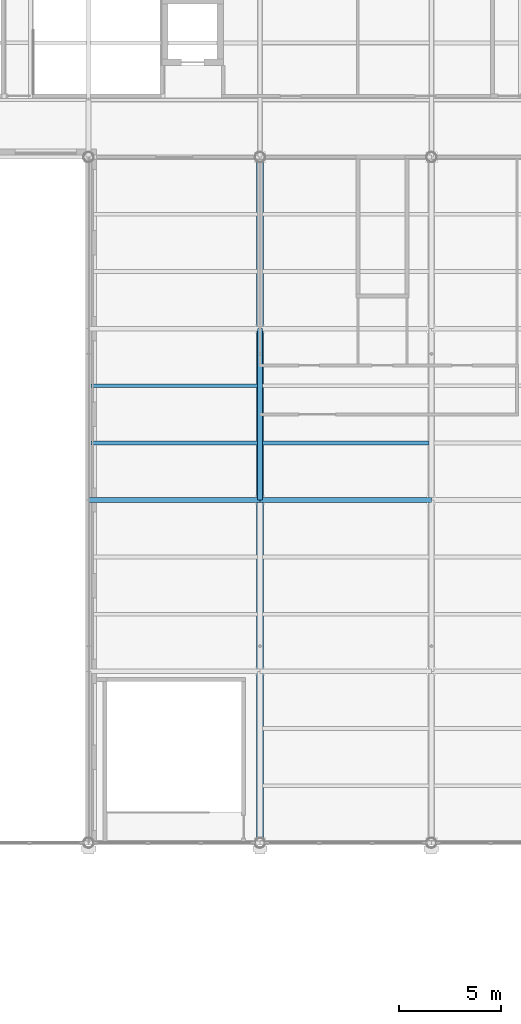
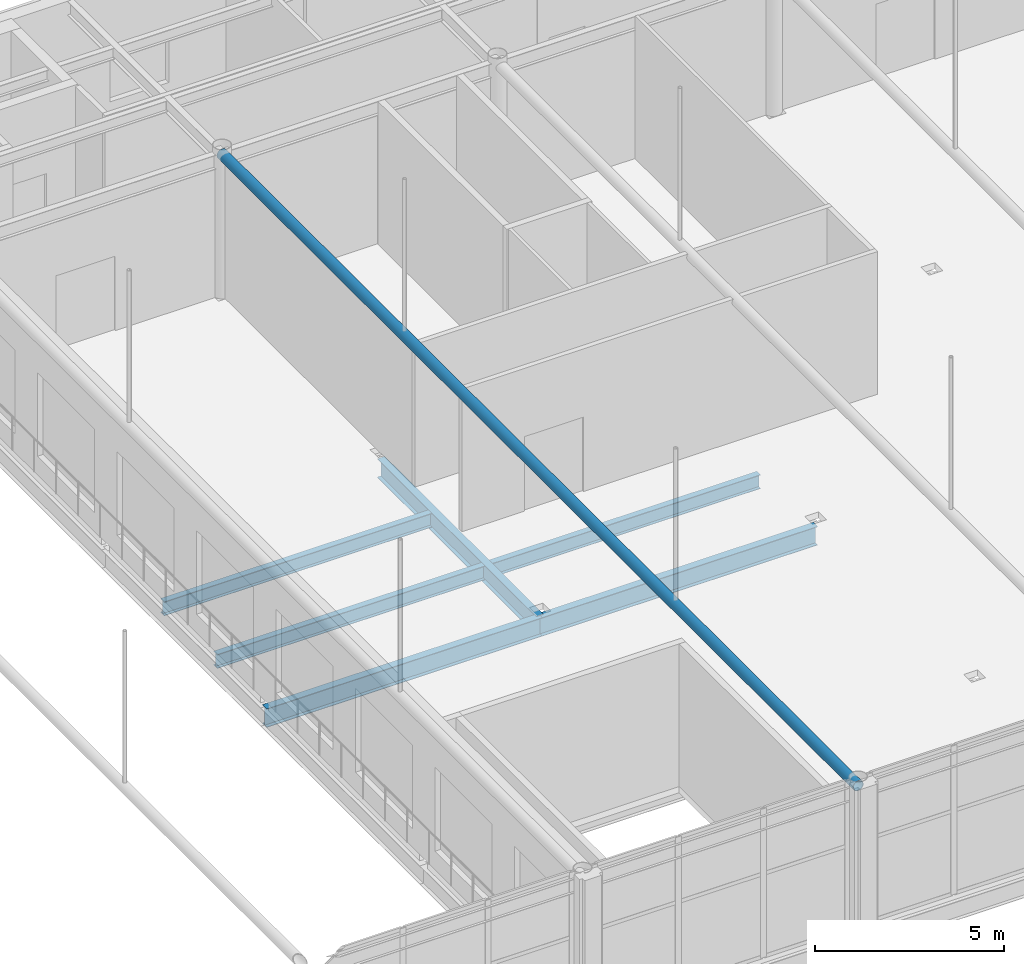
# One storey, part 61 of 167: 7 beams.
"""IFC4 building model written with IfcOpenShell, lengths in metres."""

from ifc_helpers import new_model, si_unit, direction, frame, origin, origin_2d, place, context, subcontext, project, spatial, hollow_circle, i_section, extrude, material, material_profile, profile_set, type_object, element, save


model = new_model("IFC4")

# Units and contexts
model_context = context("Model", 3, precision=1e-05, world=origin(), true_north=direction((0.0, 1.0)))
body_context = subcontext(model_context, "Body", "Model", "MODEL_VIEW")
ifc_project = project(units=[si_unit("LENGTHUNIT", "METRE"), si_unit("AREAUNIT", "SQUARE_METRE"), si_unit("VOLUMEUNIT", "CUBIC_METRE"), si_unit("PLANEANGLEUNIT", "RADIAN"), si_unit("MASSUNIT", "GRAM", prefix="KILO")], contexts=[model_context])

# Site, building, storey
site_placement = place(None, origin())
site = spatial("IfcSite", under=ifc_project, at=site_placement, CompositionType="ELEMENT")
building_placement = place(site_placement, origin())
building = spatial("IfcBuilding", under=site, at=building_placement, Name="Catenary Quay Ferry Terminal", CompositionType="ELEMENT")
storey_placement = place(building_placement, frame((0.0, 0.0, 6.0)))
storey = spatial("IfcBuildingStorey", under=building, at=storey_placement, Name="L01", CompositionType="ELEMENT", Elevation=6.0)

# Beams
ifc_material_1 = material(Name="Steel S355", Category="steel")
ifc_material_profile_1 = material_profile(ifc_material_1, i_section(OverallWidth=0.2275390625, OverallDepth=0.6025390625, WebThickness=0.010498046875, FlangeThickness=0.014892578125, at=origin_2d()), Name="UB 610x229x101")
ifc_profile_set_1 = profile_set([ifc_material_profile_1], Name="Steel S355")
beam_type_1 = type_object("IfcBeamType", Name="B3 UB 610x229x101", PredefinedType="BEAM", material=ifc_profile_set_1)
beam_1_placement = place(storey_placement, frame((58.800048828125, 84.0, -0.5009765625), z_axis=(1.0, 0.0, 0.0), x_axis=(0.0, 1.0, 0.0)))
element("IfcBeam", 1, at=beam_1_placement, inside=storey, type_object=beam_type_1, Name="Beam B3-009", PredefinedType="BEAM", context=body_context, shape_type="SweptSolid", body=[
    extrude(i_section(OverallWidth=0.2275390625, OverallDepth=0.6025390625, WebThickness=0.010498046875, FlangeThickness=0.014892578125, at=origin_2d()), origin(), (0.0, 0.0, 1.0), 8.39990234375),
])
beam_2_placement = place(storey_placement, frame((67.199951171875, 84.0, -0.5009765625), z_axis=(1.0, 0.0, 0.0), x_axis=(0.0, 1.0, 0.0)))
element("IfcBeam", 2, at=beam_2_placement, inside=storey, type_object=beam_type_1, Name="Beam B3-010", PredefinedType="BEAM", context=body_context, shape_type="SweptSolid", body=[
    extrude(i_section(OverallWidth=0.2275390625, OverallDepth=0.6025390625, WebThickness=0.010498046875, FlangeThickness=0.014892578125, at=origin_2d()), origin(), (0.0, 0.0, 1.0), 8.400146484375),
])
beam_3_placement = place(storey_placement, frame((67.199951171875, 84.0, -0.5009765625), z_axis=(0.0, 1.0, 0.0), x_axis=(-1.0, 0.0, 0.0)))
element("IfcBeam", 3, at=beam_3_placement, inside=storey, type_object=beam_type_1, Name="Beam B3-032", PredefinedType="BEAM", context=body_context, shape_type="SweptSolid", body=[
    extrude(i_section(OverallWidth=0.2275390625, OverallDepth=0.6025390625, WebThickness=0.010498046875, FlangeThickness=0.014892578125, at=origin_2d()), origin(), (0.0, 0.0, 1.0), 8.39990234375),
])
ifc_material_2 = material(Name="Steel S355", Category="steel")
ifc_material_profile_2 = material_profile(ifc_material_2, i_section(OverallWidth=0.18994140625, OverallDepth=0.449951171875, WebThickness=0.009521484375, FlangeThickness=0.0146484375, at=origin_2d()), Name="IPE 450")
ifc_profile_set_2 = profile_set([ifc_material_profile_2], Name="Steel S355")
beam_type_2 = type_object("IfcBeamType", Name="B4 IPE 450", PredefinedType="BEAM", material=ifc_profile_set_2)
beam_4_placement = place(storey_placement, frame((58.9140625, 86.800048828125, -0.425048828125), z_axis=(1.0, 0.0, 0.0), x_axis=(0.0, 1.0, 0.0)))
element("IfcBeam", 4, at=beam_4_placement, inside=storey, type_object=beam_type_2, Name="Beam B4-013", PredefinedType="BEAM", context=body_context, shape_type="SweptSolid", body=[
    extrude(i_section(OverallWidth=0.18994140625, OverallDepth=0.449951171875, WebThickness=0.009521484375, FlangeThickness=0.0146484375, at=origin_2d()), origin(), (0.0, 0.0, 1.0), 8.171875),
])
beam_5_placement = place(storey_placement, frame((67.31396484375, 86.800048828125, -0.425048828125), z_axis=(1.0, 0.0, 0.0), x_axis=(0.0, 1.0, 0.0)))
element("IfcBeam", 5, at=beam_5_placement, inside=storey, type_object=beam_type_2, Name="Beam B4-014", PredefinedType="BEAM", context=body_context, shape_type="SweptSolid", body=[
    extrude(i_section(OverallWidth=0.18994140625, OverallDepth=0.449951171875, WebThickness=0.009521484375, FlangeThickness=0.0146484375, at=origin_2d()), origin(), (0.0, 0.0, 1.0), 8.172119140625),
])
beam_6_placement = place(storey_placement, frame((58.9140625, 89.60009765625, -0.425048828125), z_axis=(1.0, 0.0, 0.0), x_axis=(0.0, 1.0, 0.0)))
element("IfcBeam", 6, at=beam_6_placement, inside=storey, type_object=beam_type_2, Name="Beam B4-017", PredefinedType="BEAM", context=body_context, shape_type="SweptSolid", body=[
    extrude(i_section(OverallWidth=0.18994140625, OverallDepth=0.449951171875, WebThickness=0.009521484375, FlangeThickness=0.0146484375, at=origin_2d()), origin(), (0.0, 0.0, 1.0), 8.171875),
])
ifc_material_3 = material(Name="Steel S355", Category="steel")
ifc_material_profile_3 = material_profile(ifc_material_3, hollow_circle(Radius=0.161865234375, WallThickness=0.01611328125, at=origin_2d()), Name="CHS 323.9x16")
ifc_profile_set_3 = profile_set([ifc_material_profile_3], Name="Steel S355")
beam_type_3 = type_object("IfcBeamType", Name="TB3 CHS 323.9x16", PredefinedType="BEAM", material=ifc_profile_set_3)
beam_7_placement = place(storey_placement, frame((67.199951171875, 67.199951171875, 4.5), z_axis=(0.0, 1.0, 0.0), x_axis=(-1.0, 0.0, 0.0)))
element("IfcBeam", 7, at=beam_7_placement, inside=storey, type_object=beam_type_3, Name="Vault tie beam VA-06", PredefinedType="BEAM", context=body_context, shape_type="SweptSolid", body=[
    extrude(hollow_circle(Radius=0.161865234375, WallThickness=0.01611328125, at=origin_2d()), origin(), (0.0, 0.0, 1.0), 33.60009765625),
])

save(model, "model.ifc")
